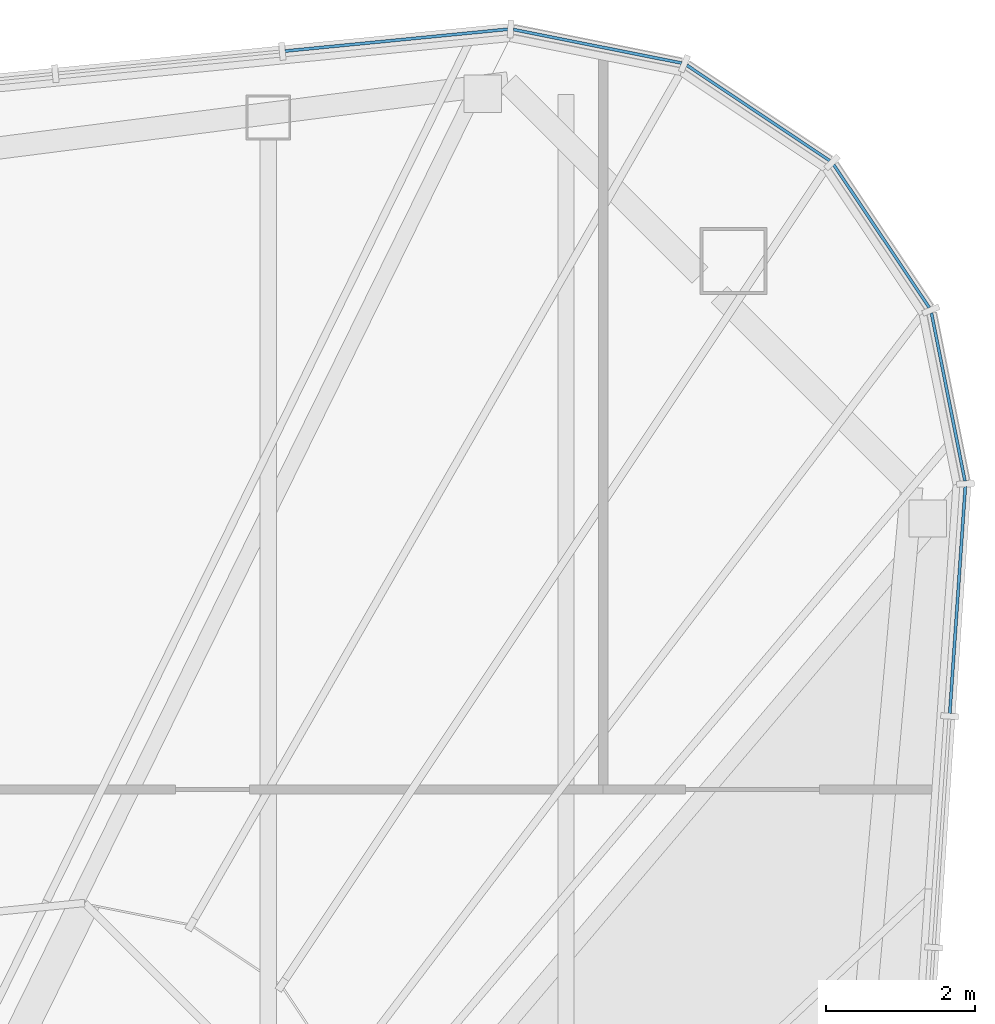
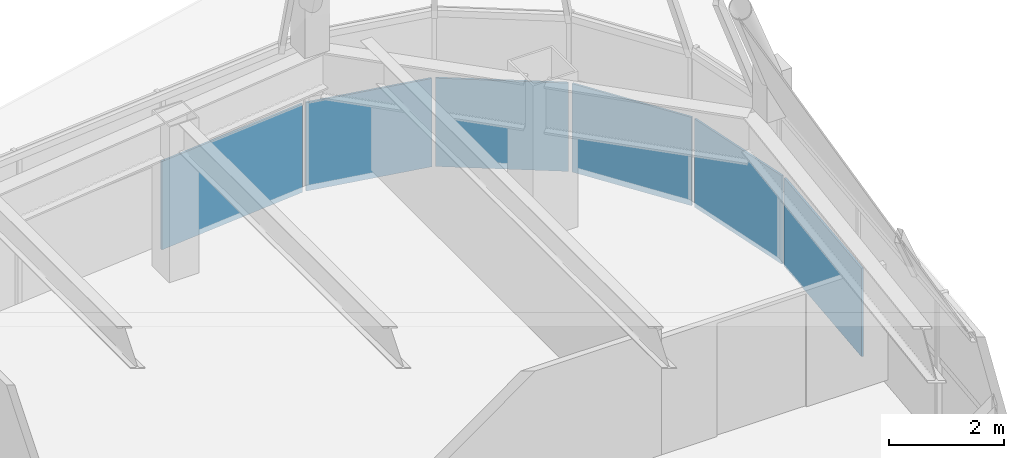
# One storey, part 22 of 28: 6 plates, 3 elements without a shape of their own.
"""IFC4 building model written with IfcOpenShell, lengths in metres."""

from ifc_helpers import new_model, si_unit, direction, frame, origin, origin_2d, place, context, subcontext, project, spatial, rectangle, extrude, material, layer, layer_set, type_object, element, aggregate, save


model = new_model("IFC4")

# Units and contexts
model_context = context("Model", 3, precision=1e-05, world=origin(), true_north=direction((0.0, 1.0)))
body_context = subcontext(model_context, "Body", "Model", "MODEL_VIEW")
ifc_project = project(units=[si_unit("LENGTHUNIT", "METRE"), si_unit("AREAUNIT", "SQUARE_METRE"), si_unit("VOLUMEUNIT", "CUBIC_METRE"), si_unit("PLANEANGLEUNIT", "RADIAN"), si_unit("MASSUNIT", "GRAM", prefix="KILO")], contexts=[model_context])

# Site, building, storey
site_placement = place(None, origin())
site = spatial("IfcSite", under=ifc_project, at=site_placement, CompositionType="ELEMENT")
building_placement = place(site_placement, origin())
building = spatial("IfcBuilding", under=site, at=building_placement, Name="Verdant Reach Tower", CompositionType="ELEMENT")
storey_placement = place(building_placement, frame((0.0, 0.0, 368.0)))
storey = spatial("IfcBuildingStorey", under=building, at=storey_placement, Name="L83 Crown plant", CompositionType="ELEMENT", Elevation=368.0)

# Curtain wall, plate
ifc_material_1 = material(Name="Anodised aluminium", Category="aluminium")
curtain_wall_type = type_object("IfcCurtainWallType", Name="EN-CW SYSTEM PLANT", PredefinedType="NOTDEFINED", material=ifc_material_1)
curtain_wall_1_placement = place(storey_placement, origin())
curtain_wall_1 = element("IfcCurtainWall", 1, at=curtain_wall_1_placement, inside=storey, type_object=curtain_wall_type, Name="Curtain wall east, L83", PredefinedType="NOTDEFINED")
ifc_material_2 = material(Name="Bronze anodised aluminium solid panel", Category="aluminium")
ifc_layer = layer(ifc_material_2, 0.0400390625)
ifc_layer_set = layer_set([ifc_layer], Name="EN-PANEL SOLID")
plate_type = type_object("IfcPlateType", Name="EN-PANEL SOLID", PredefinedType="CURTAIN_PANEL", material=ifc_layer_set)
plate_1_placement = place(storey_placement, frame((21.261474609375, 61.446044921875, -0.199951171875), z_axis=(0.0, 0.0, 1.0), x_axis=(0.068469163133, 0.997653233193, 0.0)))
plate_1 = element("IfcPlate", 2, at=plate_1_placement, type_object=plate_type, Name="Solid panel east face part 2 7.1, L83", PredefinedType="CURTAIN_PANEL", context=body_context, shape_type="SweptSolid", body=[
    extrude(rectangle(XDim=3.05419921875, YDim=0.0400390625, at=origin_2d()), origin(), (0.0, 0.0, 1.0), 1.875),
])
aggregate(curtain_wall_1, [plate_1])

# Curtain wall, plates
curtain_wall_2_placement = place(storey_placement, origin())
curtain_wall_2 = element("IfcCurtainWall", 3, at=curtain_wall_2_placement, inside=storey, type_object=curtain_wall_type, Name="Curtain wall north-east corner, L83", PredefinedType="NOTDEFINED")
plate_2_placement = place(storey_placement, frame((21.135986328125, 64.174560546875, -0.199951171875), z_axis=(0.0, 0.0, 1.0), x_axis=(-0.195592962334, 0.980685165119, 0.0)))
plate_2 = element("IfcPlate", 4, at=plate_2_placement, type_object=plate_type, Name="Solid panel north-east corner 1.1, L83", PredefinedType="CURTAIN_PANEL", context=body_context, shape_type="SweptSolid", body=[
    extrude(rectangle(XDim=2.303955078125, YDim=0.0400390625, at=origin_2d()), origin(), (0.0, 0.0, 1.0), 1.875),
])
plate_3_placement = place(storey_placement, frame((20.239990234375, 66.334228515625, -0.199951171875), z_axis=(0.0, 0.0, 1.0), x_axis=(-0.555596466265, 0.83145208321, 0.0)))
plate_3 = element("IfcPlate", 5, at=plate_3_placement, type_object=plate_type, Name="Solid panel north-east corner 2.1, L83", PredefinedType="CURTAIN_PANEL", context=body_context, shape_type="SweptSolid", body=[
    extrude(rectangle(XDim=2.3115234375, YDim=0.0400390625, at=origin_2d()), origin(), (0.0, 0.0, 1.0), 1.875),
])
plate_4_placement = place(storey_placement, frame((18.584228515625, 67.989990234375, -0.199951171875), z_axis=(0.0, 0.0, 1.0), x_axis=(-0.83145208321, 0.555596466265, 0.0)))
plate_4 = element("IfcPlate", 6, at=plate_4_placement, type_object=plate_type, Name="Solid panel north-east corner 3.1, L83", PredefinedType="CURTAIN_PANEL", context=body_context, shape_type="SweptSolid", body=[
    extrude(rectangle(XDim=2.3115234375, YDim=0.0400390625, at=origin_2d()), origin(), (0.0, 0.0, 1.0), 1.875),
])
plate_5_placement = place(storey_placement, frame((16.423828125, 68.885986328125, -0.199951171875), z_axis=(0.0, 0.0, 1.0), x_axis=(-0.980705120874, 0.195492879387, 0.0)))
plate_5 = element("IfcPlate", 7, at=plate_5_placement, type_object=plate_type, Name="Solid panel north-east corner 4.1, L83", PredefinedType="CURTAIN_PANEL", context=body_context, shape_type="SweptSolid", body=[
    extrude(rectangle(XDim=2.3056640625, YDim=0.0400390625, at=origin_2d()), origin(), (0.0, 0.0, 1.0), 1.875),
])
aggregate(curtain_wall_2, [plate_2, plate_3, plate_4, plate_5])

# Curtain wall, plate
curtain_wall_3_placement = place(storey_placement, origin())
curtain_wall_3 = element("IfcCurtainWall", 8, at=curtain_wall_3_placement, inside=storey, type_object=curtain_wall_type, Name="Curtain wall north, L83", PredefinedType="NOTDEFINED")
plate_6_placement = place(storey_placement, frame((13.72216796875, 68.96875, -0.199951171875), z_axis=(0.0, 0.0, 1.0), x_axis=(-0.995238191716, -0.097472774402, 0.0)))
plate_6 = element("IfcPlate", 9, at=plate_6_placement, type_object=plate_type, Name="Solid panel north face part 1 1.1, L83", PredefinedType="CURTAIN_PANEL", context=body_context, shape_type="SweptSolid", body=[
    extrude(rectangle(XDim=3.006103515625, YDim=0.0400390625, at=origin_2d()), origin(), (0.0, 0.0, 1.0), 1.875),
])
aggregate(curtain_wall_3, [plate_6])

save(model, "model.ifc")
